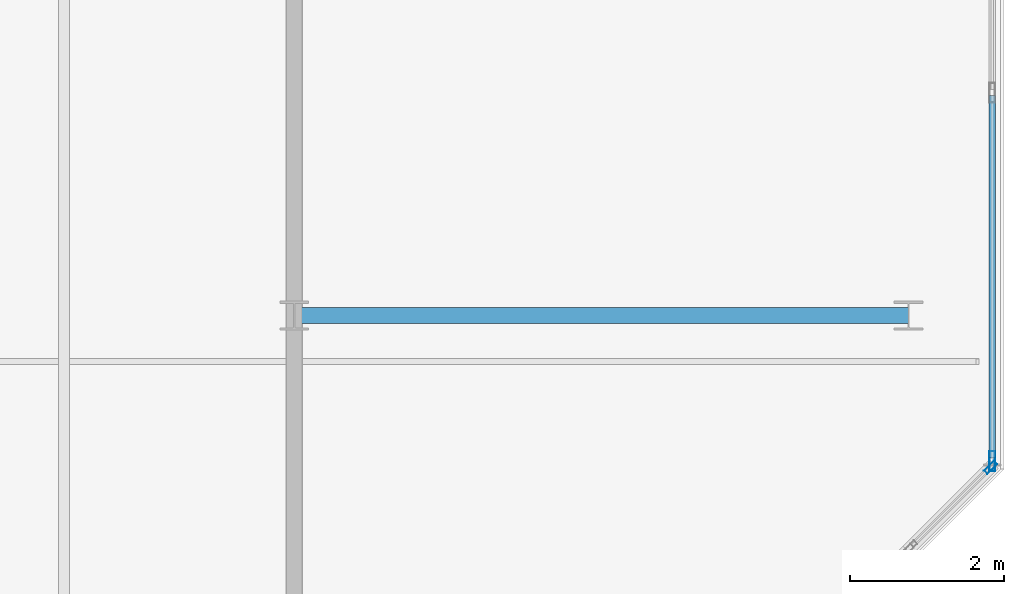
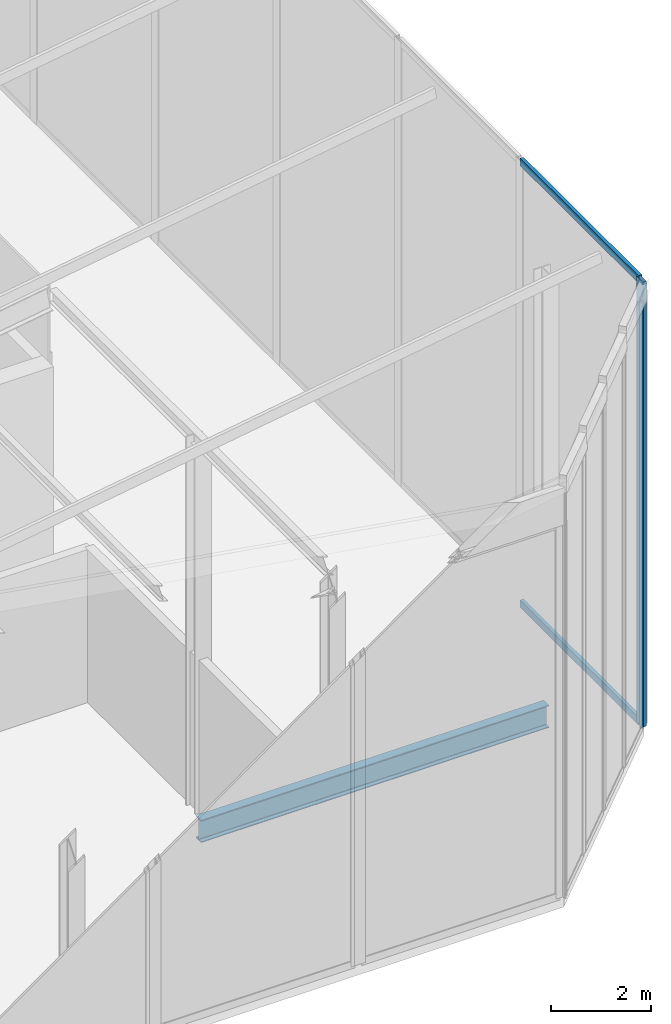
# One storey, part 12 of 30: 4 members, 1 beam, 2 elements without a shape of their own.
"""IFC4 building model written with IfcOpenShell, lengths in metres."""

from ifc_helpers import new_model, si_unit, direction, frame, origin, origin_2d, place, context, subcontext, project, spatial, hollow_rectangle, i_section, extrude, material, layer, layer_set, material_profile, profile_set, type_object, element, aggregate, save


model = new_model("IFC4")

# Units and contexts
model_context = context("Model", 3, precision=1e-05, world=origin(), true_north=direction((0.0, 1.0)))
body_context = subcontext(model_context, "Body", "Model", "MODEL_VIEW")
ifc_project = project(units=[si_unit("LENGTHUNIT", "METRE"), si_unit("AREAUNIT", "SQUARE_METRE"), si_unit("VOLUMEUNIT", "CUBIC_METRE"), si_unit("PLANEANGLEUNIT", "RADIAN"), si_unit("MASSUNIT", "GRAM", prefix="KILO")], contexts=[model_context])

# Site, building, storey
site_placement = place(None, origin())
site = spatial("IfcSite", under=ifc_project, at=site_placement, CompositionType="ELEMENT")
building_placement = place(site_placement, origin())
building = spatial("IfcBuilding", under=site, at=building_placement, Name="Tanjung Sevakor Pilgrim Tower", CompositionType="ELEMENT")
storey_placement = place(building_placement, frame((0.0, 0.0, 287.760009765625)))
storey = spatial("IfcBuildingStorey", under=building, at=storey_placement, Name="L80", CompositionType="ELEMENT", Elevation=287.760009765625)

# Beam
ifc_material_1 = material(Name="Steel S355J2", Category="steel")
ifc_material_profile_1 = material_profile(ifc_material_1, i_section(OverallWidth=0.2119140625, OverallDepth=0.54443359375, WebThickness=0.0126953125, FlangeThickness=0.021240234375, FilletRadius=0.0126953125, at=origin_2d()))
ifc_profile_set_1 = profile_set([ifc_material_profile_1], Name="Steel S355J2")
beam_type = type_object("IfcBeamType", Name="BM-B-G5-UB_533x210x122", PredefinedType="BEAM", material=ifc_profile_set_1)
beam_placement = place(storey_placement, frame((90.0, 18.60009765625, -0.5322265625), z_axis=(1.0, 0.0, 0.0), x_axis=(0.0, 1.0, 0.0)))
element("IfcBeam", 1, at=beam_placement, inside=storey, type_object=beam_type, Name="L80 East Peak Wing Girder Y18.6", PredefinedType="BEAM", context=body_context, shape_type="SweptSolid", body=[
    extrude(i_section(OverallWidth=0.2119140625, OverallDepth=0.54443359375, WebThickness=0.0126953125, FlangeThickness=0.021240234375, FilletRadius=0.0126953125, at=origin_2d()), origin(), (0.0, 0.0, 1.0), 8.0),
])

# Curtain wall, member
ifc_material_2 = material(Name="Aluminium 6063-T6 and Low-E Glass", Category="aluminium")
ifc_layer_1 = layer(ifc_material_2, 0.179931640625)
ifc_layer_set_1 = layer_set([ifc_layer_1], Name="CW-SYS-CHAM")
curtain_wall_type_1 = type_object("IfcCurtainWallType", Name="CW-SYS-CHAM", PredefinedType="NOTDEFINED", material=ifc_layer_set_1)
curtain_wall_1_placement = place(storey_placement, origin())
curtain_wall_1 = element("IfcCurtainWall", 2, at=curtain_wall_1_placement, inside=storey, type_object=curtain_wall_type_1, Name="L80 Curtain Wall CW-CHM-L80-EAST-1B4", PredefinedType="NOTDEFINED")
ifc_material_3 = material(Name="Aluminium 6063-T6", Category="aluminium")
ifc_material_profile_2 = material_profile(ifc_material_3, hollow_rectangle(XDim=0.06494140625, YDim=0.179931640625, WallThickness=0.00390625, at=origin_2d()))
ifc_profile_set_2 = profile_set([ifc_material_profile_2], Name="Aluminium 6063-T6")
member_type_1 = type_object("IfcMemberType", Name="TYPE-CWM-1", PredefinedType="MULLION", material=ifc_profile_set_2)
member_1_placement = place(storey_placement, frame((99.067138671875, 16.62255859375, 0.0), z_axis=(0.0, 0.0, 1.0), x_axis=(-0.707106781187, 0.707106781187, 0.0)))
member_1 = element("IfcMember", 3, at=member_1_placement, type_object=member_type_1, Name="CW-CHM mullion 2", PredefinedType="MULLION", context=body_context, shape_type="SweptSolid", body=[
    extrude(hollow_rectangle(XDim=0.06494140625, YDim=0.179931640625, WallThickness=0.00390625, at=origin_2d()), origin(), (0.0, 0.0, 1.0), 10.372314453125),
])
aggregate(curtain_wall_1, [member_1])

# Curtain wall, members
ifc_material_4 = material(Name="Aluminium 6063-T6 and Low-E Glass", Category="aluminium")
ifc_layer_2 = layer(ifc_material_4, 0.219970703125)
ifc_layer_set_2 = layer_set([ifc_layer_2], Name="CW-SYS-CRNE")
curtain_wall_type_2 = type_object("IfcCurtainWallType", Name="CW-SYS-CRNE", PredefinedType="NOTDEFINED", material=ifc_layer_set_2)
curtain_wall_2_placement = place(storey_placement, origin())
curtain_wall_2 = element("IfcCurtainWall", 4, at=curtain_wall_2_placement, inside=storey, type_object=curtain_wall_type_2, Name="L80 Curtain Wall CW-CRN-L80-EAST-2-1", PredefinedType="NOTDEFINED")
ifc_material_5 = material(Name="Aluminium 6063-T6", Category="aluminium")
ifc_material_profile_3 = material_profile(ifc_material_5, hollow_rectangle(XDim=0.080078125, YDim=0.260009765625, WallThickness=0.0048828125, at=origin_2d()))
ifc_profile_set_3 = profile_set([ifc_material_profile_3], Name="Aluminium 6063-T6")
member_type_2 = type_object("IfcMemberType", Name="TYPE-CWM-3", PredefinedType="MULLION", material=ifc_profile_set_3)
member_2_placement = place(storey_placement, frame((99.090087890625, 16.70556640625, 0.0), z_axis=(0.0, 0.0, 1.0), x_axis=(-1.0, 0.0, 0.0)))
member_2 = element("IfcMember", 5, at=member_2_placement, type_object=member_type_2, Name="CW-CRE mullion 1", PredefinedType="MULLION", context=body_context, shape_type="SweptSolid", body=[
    extrude(hollow_rectangle(XDim=0.080078125, YDim=0.260009765625, WallThickness=0.0048828125, at=origin_2d()), origin(), (0.0, 0.0, 1.0), 10.82275390625),
])
ifc_material_6 = material(Name="Aluminium 6063-T6", Category="aluminium")
ifc_material_profile_4 = material_profile(ifc_material_6, hollow_rectangle(XDim=0.080078125, YDim=0.179931640625, WallThickness=0.0048828125, at=origin_2d()))
ifc_profile_set_4 = profile_set([ifc_material_profile_4], Name="Aluminium 6063-T6")
member_type_3 = type_object("IfcMemberType", Name="TYPE-CWT-3", PredefinedType="USERDEFINED", material=ifc_profile_set_4)
member_3_placement = place(storey_placement, frame((99.090087890625, 16.74560546875, 0.0400390625), z_axis=(0.0, 1.0, 0.0), x_axis=(-1.0, 0.0, 0.0)))
member_3 = element("IfcMember", 6, at=member_3_placement, type_object=member_type_3, Name="CW-CRE transom 1.1", ObjectType="TRANSOM", PredefinedType="USERDEFINED", context=body_context, shape_type="SweptSolid", body=[
    extrude(hollow_rectangle(XDim=0.080078125, YDim=0.179931640625, WallThickness=0.0048828125, at=origin_2d()), origin(), (0.0, 0.0, 1.0), 4.718505859375),
])
member_4_placement = place(storey_placement, frame((99.090087890625, 16.74560546875, 10.78271484375), z_axis=(0.0, 1.0, 0.0), x_axis=(-1.0, 0.0, 0.0)))
member_4 = element("IfcMember", 7, at=member_4_placement, type_object=member_type_3, Name="CW-CRE transom 1.2", ObjectType="TRANSOM", PredefinedType="USERDEFINED", context=body_context, shape_type="SweptSolid", body=[
    extrude(hollow_rectangle(XDim=0.080078125, YDim=0.179931640625, WallThickness=0.0048828125, at=origin_2d()), origin(), (0.0, 0.0, 1.0), 4.718505859375),
])
aggregate(curtain_wall_2, [member_2, member_3, member_4])

save(model, "model.ifc")
